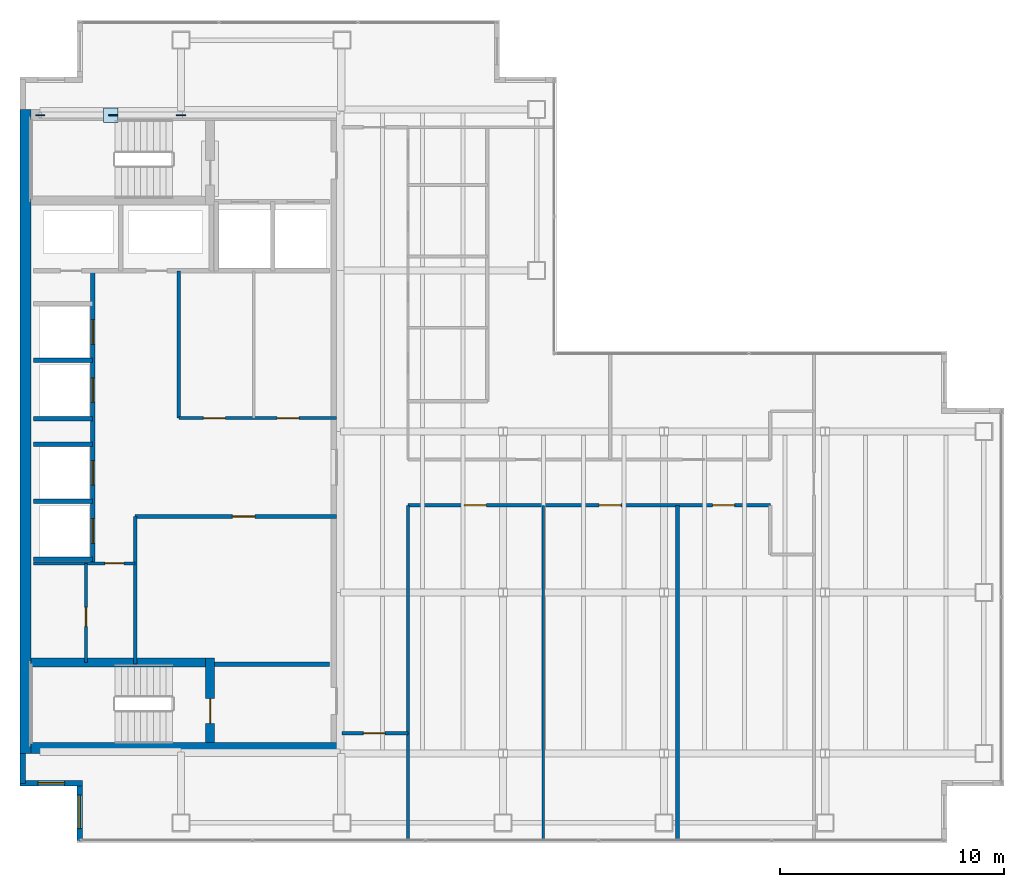
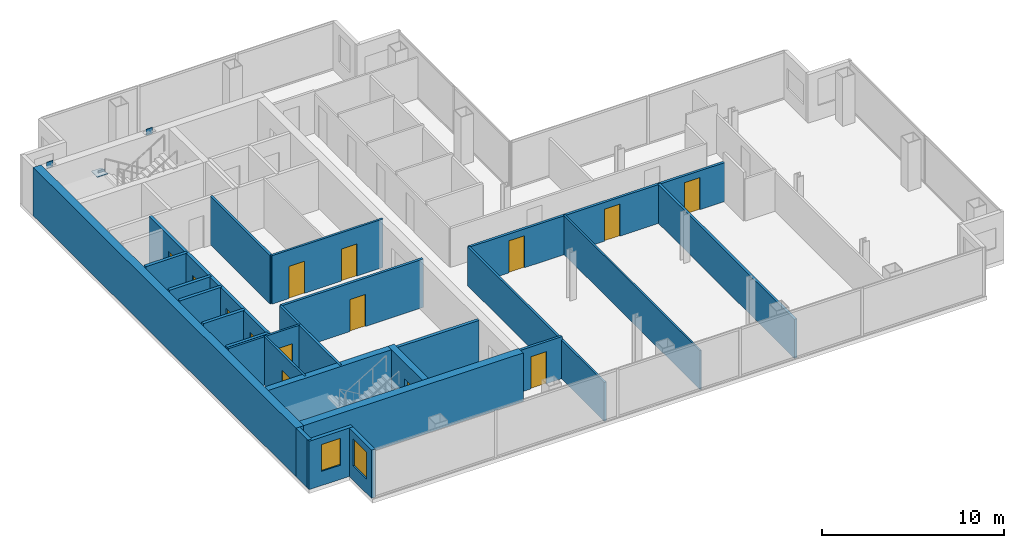
# One storey, part 20 of 23: 26 walls, 14 doors, 4 plates, 2 windows, 16 openings.
"""IFC4 building model written with IfcOpenShell, lengths in metres."""

from ifc_helpers import new_model, si_unit, direction, frame, frame_2d, origin, origin_2d, place, context, subcontext, project, spatial, rectangle, extrude, material, layer, layer_set, type_object, element, fill, save


model = new_model("IFC4")

# Units and contexts
model_context = context("Model", 3, precision=1e-05, world=origin(), true_north=direction((0.0, 1.0)))
body_context = subcontext(model_context, "Body", "Model", "MODEL_VIEW")
ifc_project = project(units=[si_unit("LENGTHUNIT", "METRE"), si_unit("AREAUNIT", "SQUARE_METRE"), si_unit("VOLUMEUNIT", "CUBIC_METRE"), si_unit("PLANEANGLEUNIT", "RADIAN"), si_unit("MASSUNIT", "GRAM", prefix="KILO")], contexts=[model_context])

# Site, building, storey
site_placement = place(None, origin())
site = spatial("IfcSite", under=ifc_project, at=site_placement, CompositionType="ELEMENT")
building_placement = place(site_placement, origin())
building = spatial("IfcBuilding", under=site, at=building_placement, Name="Cobrela Telecom Tower", CompositionType="ELEMENT")
storey_placement = place(building_placement, frame((0.0, 0.0, 190.75)))
storey = spatial("IfcBuildingStorey", under=building, at=storey_placement, Name="L48", CompositionType="ELEMENT", Elevation=190.75)

# Plates
ifc_material_1 = material(Name="Steel ASTM A572 Grade 50", Category="steel")
ifc_layer_1 = layer(ifc_material_1, 0.0419921875)
ifc_layer_set_1 = layer_set([ifc_layer_1], Name="Steel ASTM A572 Grade 50")
plate_type = type_object("IfcPlateType", Name="PLT-NODE-ND1", PredefinedType="USERDEFINED", material=ifc_layer_set_1)
for number, where, z_axis, x_axis, name in (
    (1, (7.199951171875, 35.75, 3.0751953125), (0.0, 0.0, 1.0), (1.0, 0.0, 0.0), "Steel node plate PLT-MBR-EXO-L48-N1-A-1"),
    (2, (4.173828125, 35.75, 1.349609375), (0.0, 0.0, 1.0), (-1.0, 0.0, 0.0), "Steel node plate PLT-MBR-EXO-L48-N1-B1-1"),
    (3, (0.89990234375, 35.75, 3.0751953125), (0.0, 0.0, 1.0), (-1.0, 0.0, 0.0), "Steel node plate PLT-MBR-EXO-L48-N1-B2-1"),
):
    element("IfcPlate", number, at=place(storey_placement, frame(where, z_axis=z_axis, x_axis=x_axis)), inside=storey, type_object=plate_type, Name=name, ObjectType="GUSSET PLATE", PredefinedType="USERDEFINED", context=body_context, shape_type="SweptSolid", body=[
        extrude(rectangle(XDim=0.409912109375, YDim=0.044921875, at=origin_2d()), origin(), (0.0, 0.0, 1.0), 0.409912109375),
    ])
plate_placement = place(storey_placement, frame((4.050048828125, 35.75, 1.59765625), z_axis=(0.0, 0.0, 1.0), x_axis=(1.0, 0.0, 0.0)))
element("IfcPlate", 4, at=plate_placement, inside=storey, type_object=plate_type, Name="L48 Core Flange Steel X-Brace Central X-Crossing Gusset Plate", ObjectType="GUSSET PLATE", PredefinedType="USERDEFINED", context=body_context, shape_type="SweptSolid", body=[
    extrude(rectangle(XDim=0.64990234375, YDim=0.64990234375, at=origin_2d()), origin(), (0.0, 0.0, 1.0), 0.044921875),
])

# Walls
ifc_material_2 = material(Name="Concrete C40/50", Category="concrete")
ifc_layer_2 = layer(ifc_material_2, 0.5)
ifc_layer_set_2 = layer_set([ifc_layer_2], Name="Concrete C40/50")
wall_type_1 = type_object("IfcWallType", Name="WALL-CORE-C40-500", PredefinedType="SHEAR", material=ifc_layer_set_2)
wall_1_placement = place(storey_placement, frame((0.25, 7.199951171875, 0.0), z_axis=(0.0, 0.0, 1.0), x_axis=(0.0, 1.0, 0.0)))
element("IfcWall", 5, at=wall_1_placement, inside=storey, type_object=wall_type_1, Name="L48 West Core Shear Wall", PredefinedType="SHEAR", context=body_context, shape_type="SweptSolid", body=[
    extrude(rectangle(XDim=28.800048828125, YDim=0.5, at=frame_2d((14.39990234375, 0.0))), origin(), (0.0, 0.0, 1.0), 3.239990234375),
])
wall_2_placement = place(storey_placement, frame((0.5, 7.449951171875, 0.0), z_axis=(0.0, 0.0, 1.0), x_axis=(1.0, 0.0, 0.0)))
element("IfcWall", 6, at=wall_2_placement, inside=storey, type_object=wall_type_1, Name="L48 South Core Shear Wall", PredefinedType="SHEAR", context=body_context, shape_type="SweptSolid", body=[
    extrude(rectangle(XDim=13.89990234375, YDim=0.5, at=frame_2d((6.949951171875, 0.0))), origin(), (0.0, 0.0, 1.0), 3.239990234375),
])

# Wall, opening, window
ifc_layer_3 = layer(ifc_material_2, 0.239990234375)
ifc_layer_set_3 = layer_set([ifc_layer_3], Name="Concrete C40/50")
wall_type_2 = type_object("IfcWallType", Name="WALL-EXT-300", PredefinedType="STANDARD", material=ifc_layer_set_3)
wall_3_placement = place(storey_placement, frame((2.669921875, 3.320068359375, 0.0), z_axis=(0.0, 0.0, 1.0), x_axis=(0.0, 1.0, 0.0)))
wall_3 = element("IfcWall", 7, at=wall_3_placement, inside=storey, type_object=wall_type_2, Name="L48 Insulated Facade Wall 01", PredefinedType="STANDARD", context=body_context, shape_type="SweptSolid", body=[
    extrude(rectangle(XDim=2.550048828125, YDim=0.239990234375, at=frame_2d((1.27490234375, 0.0))), origin(), (0.0, 0.0, 1.0), 3.239990234375),
])
opening_1_placement = place(wall_3_placement, frame((0.52490234375, 0.0, 0.949951171875)))
opening_1 = element("IfcOpeningElement", 8, at=opening_1_placement, cuts=wall_3, Name="Opening WN-45", PredefinedType="OPENING", context=body_context, shape_type="SweptSolid", body=[
    extrude(rectangle(XDim=1.5, YDim=1.800048828125, at=frame_2d((0.75, 0.89990234375))), frame((0.0, 0.1318359375, 0.0), z_axis=(0.0, -1.0, 0.0), x_axis=(1.0, 0.0, 0.0)), (0.0, 0.0, 1.0), 0.263916015625),
])
ifc_material_3 = material(Name="Solar-Control Bronze Low-E Glass", Category="glass")
window_type_1 = type_object("IfcWindowType", Name="WIN-MOD-1500", PartitioningType="SINGLE_PANEL", PredefinedType="WINDOW", material=ifc_material_3)
window_1_placement = place(opening_1_placement, origin())
window_1 = element("IfcWindow", 9, at=window_1_placement, inside=storey, type_object=window_type_1, Name="L48 Corner Notch Facade Window 229", OverallHeight=1.800048828125, OverallWidth=1.5, PartitioningType="SINGLE_PANEL", PredefinedType="WINDOW", context=body_context, shape_type="SweptSolid", body=[
    extrude(rectangle(XDim=1.5, YDim=1.800048828125, at=frame_2d((0.75, 0.89990234375))), frame((0.0, 0.030029296875, 0.0), z_axis=(0.0, -1.0, 0.0), x_axis=(1.0, 0.0, 0.0)), (0.0, 0.0, 1.0), 0.06005859375),
])
fill(opening_1, window_1)

wall_4_placement = place(storey_placement, frame((2.7900390625, 5.8701171875, 0.0), z_axis=(0.0, 0.0, 1.0), x_axis=(-1.0, 0.0, 0.0)))
wall_4 = element("IfcWall", 10, at=wall_4_placement, inside=storey, type_object=wall_type_2, Name="L48 Insulated Facade Wall 02", PredefinedType="STANDARD", context=body_context, shape_type="SweptSolid", body=[
    extrude(rectangle(XDim=2.7900390625, YDim=0.239990234375, at=frame_2d((1.39501953125, 0.0))), origin(), (0.0, 0.0, 1.0), 3.239990234375),
])
opening_2_placement = place(wall_4_placement, frame((0.794921875, 0.0, 0.949951171875)))
opening_2 = element("IfcOpeningElement", 11, at=opening_2_placement, cuts=wall_4, Name="Opening WN-19", PredefinedType="OPENING", context=body_context, shape_type="SweptSolid", body=[
    extrude(rectangle(XDim=1.199951171875, YDim=1.800048828125, at=frame_2d((0.60009765625, 0.89990234375))), frame((0.0, 0.1318359375, 0.0), z_axis=(0.0, -1.0, 0.0), x_axis=(1.0, 0.0, 0.0)), (0.0, 0.0, 1.0), 0.263916015625),
])
window_type_2 = type_object("IfcWindowType", Name="WIN-MOD-1200", PartitioningType="SINGLE_PANEL", PredefinedType="WINDOW", material=ifc_material_3)
window_2_placement = place(opening_2_placement, origin())
window_2 = element("IfcWindow", 12, at=window_2_placement, inside=storey, type_object=window_type_2, Name="L48 Corner Notch Facade Window 230", OverallHeight=1.800048828125, OverallWidth=1.199951171875, PartitioningType="SINGLE_PANEL", PredefinedType="WINDOW", context=body_context, shape_type="SweptSolid", body=[
    extrude(rectangle(XDim=1.199951171875, YDim=1.800048828125, at=frame_2d((0.60009765625, 0.89990234375))), frame((0.0, 0.030029296875, 0.0), z_axis=(0.0, -1.0, 0.0), x_axis=(1.0, 0.0, 0.0)), (0.0, 0.0, 1.0), 0.06005859375),
])
fill(opening_2, window_2)

# Walls
wall_5_placement = place(storey_placement, frame((0.1201171875, 5.8701171875, 0.0), z_axis=(0.0, 0.0, 1.0), x_axis=(0.0, 1.0, 0.0)))
element("IfcWall", 13, at=wall_5_placement, inside=storey, type_object=wall_type_2, Name="L48 Insulated Facade Wall 03", PredefinedType="STANDARD", context=body_context, shape_type="SweptSolid", body=[
    extrude(rectangle(XDim=1.329833984375, YDim=0.239990234375, at=frame_2d((0.6650390625, 0.0))), origin(), (0.0, 0.0, 1.0), 3.239990234375),
])
ifc_material_4 = material(Name="Fire-Rated Gypsum Plasterboard")
ifc_layer_4 = layer(ifc_material_4, 0.110107421875)
ifc_layer_set_4 = layer_set([ifc_layer_4], Name="Fire-Rated Gypsum Plasterboard")
wall_type_3 = type_object("IfcWallType", Name="WALL-PART-110", PredefinedType="PARTITIONING", material=ifc_layer_set_4)
wall_6_placement = place(storey_placement, frame((23.39990234375, 3.320068359375, 0.0), z_axis=(0.0, 0.0, 1.0), x_axis=(0.0, 1.0, 0.0)))
element("IfcWall", 14, at=wall_6_placement, inside=storey, type_object=wall_type_3, Name="L48 Interior Partition W-SV-1", PredefinedType="PARTITIONING", context=body_context, shape_type="SweptSolid", body=[
    extrude(rectangle(XDim=14.97998046875, YDim=0.110107421875, at=frame_2d((7.489990234375, 0.0))), origin(), (0.0, 0.0, 1.0), 2.60302734375),
])

# Wall, opening, door
ifc_layer_5 = layer(ifc_material_4, 0.125)
ifc_layer_set_5 = layer_set([ifc_layer_5], Name="Fire-Rated Gypsum Plasterboard")
wall_type_4 = type_object("IfcWallType", Name="WALL-PART-125", PredefinedType="PARTITIONING", material=ifc_layer_set_5)
wall_7_placement = place(storey_placement, frame((2.949951171875, 11.280029296875, 0.0), z_axis=(0.0, 0.0, 1.0), x_axis=(0.0, 1.0, 0.0)))
wall_7 = element("IfcWall", 15, at=wall_7_placement, inside=storey, type_object=wall_type_4, Name="L48 Interior Partition CW-FK1-V", PredefinedType="PARTITIONING", context=body_context, shape_type="SweptSolid", body=[
    extrude(rectangle(XDim=4.419921875, YDim=0.125, at=frame_2d((2.2099609375, 0.0))), origin(), (0.0, 0.0, 1.0), 3.239990234375),
])
opening_3_placement = place(wall_7_placement, frame((1.60009765625, 0.0, 0.0)))
opening_3 = element("IfcOpeningElement", 16, at=opening_3_placement, cuts=wall_7, Name="Opening DR-11", PredefinedType="OPENING", context=body_context, shape_type="SweptSolid", body=[
    extrude(rectangle(XDim=0.85009765625, YDim=2.14990234375, at=frame_2d((0.425048828125, 1.074951171875))), frame((0.0, 0.074462890625, 0.0), z_axis=(0.0, -1.0, 0.0), x_axis=(1.0, 0.0, 0.0)), (0.0, 0.0, 1.0), 0.14892578125),
])
ifc_material_5 = material(Name="Solid Engineered Oak Timber", Category="wood")
door_type_1 = type_object("IfcDoorType", Name="DOOR-INT-850", OperationType="SINGLE_SWING_LEFT", PredefinedType="DOOR", material=ifc_material_5)
door_1_placement = place(opening_3_placement, origin())
door_1 = element("IfcDoor", 17, at=door_1_placement, inside=storey, type_object=door_type_1, Name="L48 Door DR-11", OperationType="SINGLE_SWING_RIGHT", OverallHeight=2.14990234375, OverallWidth=0.85009765625, PredefinedType="DOOR", context=body_context, shape_type="SweptSolid", body=[
    extrude(rectangle(XDim=0.85009765625, YDim=2.14990234375, at=frame_2d((0.425048828125, 1.074951171875))), frame((0.0, 0.02490234375, 0.0), z_axis=(0.0, -1.0, 0.0), x_axis=(1.0, 0.0, 0.0)), (0.0, 0.0, 1.0), 0.050048828125),
])
fill(opening_3, door_1)

# Wall, openings, doors
ifc_layer_6 = layer(ifc_material_4, 0.135009765625)
ifc_layer_set_6 = layer_set([ifc_layer_6], Name="Fire-Rated Gypsum Plasterboard")
wall_type_5 = type_object("IfcWallType", Name="WALL-PART-135", PredefinedType="PARTITIONING", material=ifc_layer_set_6)
wall_8_placement = place(storey_placement, frame((7.10009765625, 22.199951171875, 0.0), z_axis=(0.0, 0.0, 1.0), x_axis=(1.0, 0.0, 0.0)))
wall_8 = element("IfcWall", 18, at=wall_8_placement, inside=storey, type_object=wall_type_5, Name="L48 Interior Partition CW-RECL-S", PredefinedType="PARTITIONING", context=body_context, shape_type="SweptSolid", body=[
    extrude(rectangle(XDim=7.0498046875, YDim=0.135009765625, at=frame_2d((3.52490234375, 0.0))), origin(), (0.0, 0.0, 1.0), 3.239990234375),
])
opening_4_placement = place(wall_8_placement, frame((1.10009765625, 0.0, 0.0)))
opening_4 = element("IfcOpeningElement", 19, at=opening_4_placement, cuts=wall_8, Name="Opening DR-17", PredefinedType="OPENING", context=body_context, shape_type="SweptSolid", body=[
    extrude(rectangle(XDim=0.97998046875, YDim=2.14990234375, at=frame_2d((0.489990234375, 1.074951171875))), frame((0.0, 0.07958984375, 0.0), z_axis=(0.0, -1.0, 0.0), x_axis=(1.0, 0.0, 0.0)), (0.0, 0.0, 1.0), 0.158935546875),
])
opening_5_placement = place(wall_8_placement, frame((4.39990234375, 0.0, 0.0)))
opening_5 = element("IfcOpeningElement", 20, at=opening_5_placement, cuts=wall_8, Name="Opening DR-17", PredefinedType="OPENING", context=body_context, shape_type="SweptSolid", body=[
    extrude(rectangle(XDim=0.97998046875, YDim=2.14990234375, at=frame_2d((0.489990234375, 1.074951171875))), frame((0.0, 0.07958984375, 0.0), z_axis=(0.0, -1.0, 0.0), x_axis=(1.0, 0.0, 0.0)), (0.0, 0.0, 1.0), 0.158935546875),
])
door_type_2 = type_object("IfcDoorType", Name="DOOR-INT-980", OperationType="SINGLE_SWING_LEFT", PredefinedType="DOOR", material=ifc_material_5)
door_2_placement = place(opening_4_placement, origin())
door_2 = element("IfcDoor", 21, at=door_2_placement, inside=storey, type_object=door_type_2, Name="L48 Door DR-17", OperationType="SINGLE_SWING_LEFT", OverallHeight=2.14990234375, OverallWidth=0.97998046875, PredefinedType="DOOR", context=body_context, shape_type="SweptSolid", body=[
    extrude(rectangle(XDim=0.97998046875, YDim=2.14990234375, at=frame_2d((0.489990234375, 1.074951171875))), frame((0.0, 0.02490234375, 0.0), z_axis=(0.0, -1.0, 0.0), x_axis=(1.0, 0.0, 0.0)), (0.0, 0.0, 1.0), 0.050048828125),
])
fill(opening_4, door_2)
door_3_placement = place(opening_5_placement, origin())
door_3 = element("IfcDoor", 22, at=door_3_placement, inside=storey, type_object=door_type_2, Name="L48 Door DR-17", OperationType="SINGLE_SWING_RIGHT", OverallHeight=2.14990234375, OverallWidth=0.97998046875, PredefinedType="DOOR", context=body_context, shape_type="SweptSolid", body=[
    extrude(rectangle(XDim=0.97998046875, YDim=2.14990234375, at=frame_2d((0.489990234375, 1.074951171875))), frame((0.0, 0.02490234375, 0.0), z_axis=(0.0, -1.0, 0.0), x_axis=(1.0, 0.0, 0.0)), (0.0, 0.0, 1.0), 0.050048828125),
])
fill(opening_5, door_3)

# Wall, opening, door
wall_9_placement = place(storey_placement, frame((0.60009765625, 15.699951171875, 0.0), z_axis=(0.0, 0.0, 1.0), x_axis=(1.0, 0.0, 0.0)))
wall_9 = element("IfcWall", 23, at=wall_9_placement, inside=storey, type_object=wall_type_5, Name="L48 Interior Partition CW-FLEX-N", PredefinedType="PARTITIONING", context=body_context, shape_type="SweptSolid", body=[
    extrude(rectangle(XDim=4.5498046875, YDim=0.135009765625, at=frame_2d((2.27490234375, 0.0))), origin(), (0.0, 0.0, 1.0), 3.239990234375),
])
opening_6_placement = place(wall_9_placement, frame((3.199951171875, 0.0, 0.0)))
opening_6 = element("IfcOpeningElement", 24, at=opening_6_placement, cuts=wall_9, Name="Opening DR-11", PredefinedType="OPENING", context=body_context, shape_type="SweptSolid", body=[
    extrude(rectangle(XDim=0.85009765625, YDim=2.14990234375, at=frame_2d((0.425048828125, 1.074951171875))), frame((0.0, 0.07958984375, 0.0), z_axis=(0.0, -1.0, 0.0), x_axis=(1.0, 0.0, 0.0)), (0.0, 0.0, 1.0), 0.158935546875),
])
door_4_placement = place(opening_6_placement, origin())
door_4 = element("IfcDoor", 25, at=door_4_placement, inside=storey, type_object=door_type_1, Name="L48 Door DR-11", OperationType="SINGLE_SWING_LEFT", OverallHeight=2.14990234375, OverallWidth=0.85009765625, PredefinedType="DOOR", context=body_context, shape_type="SweptSolid", body=[
    extrude(rectangle(XDim=0.85009765625, YDim=2.14990234375, at=frame_2d((0.425048828125, 1.074951171875))), frame((0.0, 0.02490234375, 0.0), z_axis=(0.0, -1.0, 0.0), x_axis=(1.0, 0.0, 0.0)), (0.0, 0.0, 1.0), 0.050048828125),
])
fill(opening_6, door_4)

# Walls
wall_10_placement = place(storey_placement, frame((17.35009765625, 8.10009765625, 0.0), z_axis=(0.0, 0.0, 1.0), x_axis=(0.0, 1.0, 0.0)))
element("IfcWall", 26, at=wall_10_placement, inside=storey, type_object=wall_type_5, Name="L48 Interior Partition W-C-E1", PredefinedType="PARTITIONING", context=body_context, shape_type="SweptSolid", body=[
    extrude(rectangle(XDim=10.199951171875, YDim=0.135009765625, at=frame_2d((5.10009765625, 0.0))), origin(), (0.0, 0.0, 1.0), 2.60302734375),
])
wall_11_placement = place(storey_placement, frame((17.35009765625, 3.320068359375, 0.0), z_axis=(0.0, 0.0, 1.0), x_axis=(0.0, 1.0, 0.0)))
element("IfcWall", 27, at=wall_11_placement, inside=storey, type_object=wall_type_5, Name="L48 Interior Partition W-SW-E", PredefinedType="PARTITIONING", context=body_context, shape_type="SweptSolid", body=[
    extrude(rectangle(XDim=4.780029296875, YDim=0.135009765625, at=frame_2d((2.39013671875, 0.0))), origin(), (0.0, 0.0, 1.0), 2.60302734375),
])
ifc_layer_7 = layer(ifc_material_4, 0.14990234375)
ifc_layer_set_7 = layer_set([ifc_layer_7], Name="Fire-Rated Gypsum Plasterboard")
wall_type_6 = type_object("IfcWallType", Name="WALL-PART-150", PredefinedType="PARTITIONING", material=ifc_layer_set_7)
wall_12_placement = place(storey_placement, frame((7.10009765625, 22.199951171875, 0.0), z_axis=(0.0, 0.0, 1.0), x_axis=(0.0, 1.0, 0.0)))
element("IfcWall", 28, at=wall_12_placement, inside=storey, type_object=wall_type_6, Name="L48 Interior Partition CW-RECL-W", PredefinedType="PARTITIONING", context=body_context, shape_type="SweptSolid", body=[
    extrude(rectangle(XDim=6.580078125, YDim=0.14990234375, at=frame_2d((3.2900390625, 0.0))), origin(), (0.0, 0.0, 1.0), 3.239990234375),
])
wall_13_placement = place(storey_placement, frame((5.14990234375, 11.199951171875, 0.0), z_axis=(0.0, 0.0, 1.0), x_axis=(0.0, 1.0, 0.0)))
element("IfcWall", 29, at=wall_13_placement, inside=storey, type_object=wall_type_6, Name="L48 Interior Partition CW-RECM-W", PredefinedType="PARTITIONING", context=body_context, shape_type="SweptSolid", body=[
    extrude(rectangle(XDim=6.60009765625, YDim=0.14990234375, at=frame_2d((3.300048828125, 0.0))), origin(), (0.0, 0.0, 1.0), 3.239990234375),
])

# Wall, opening, door
ifc_layer_8 = layer(ifc_material_4, 0.159912109375)
ifc_layer_set_8 = layer_set([ifc_layer_8], Name="Fire-Rated Gypsum Plasterboard")
wall_type_7 = type_object("IfcWallType", Name="WALL-PART-160", PredefinedType="PARTITIONING", material=ifc_layer_set_8)
wall_14_placement = place(storey_placement, frame((5.14990234375, 17.800048828125, 0.0), z_axis=(0.0, 0.0, 1.0), x_axis=(1.0, 0.0, 0.0)))
wall_14 = element("IfcWall", 30, at=wall_14_placement, inside=storey, type_object=wall_type_7, Name="L48 Interior Partition CW-RECM-N", PredefinedType="PARTITIONING", context=body_context, shape_type="SweptSolid", body=[
    extrude(rectangle(XDim=9.0, YDim=0.159912109375, at=frame_2d((4.5, 0.0))), origin(), (0.0, 0.0, 1.0), 3.239990234375),
])
opening_7_placement = place(wall_14_placement, frame((4.35009765625, 0.0, 0.0)))
opening_7 = element("IfcOpeningElement", 31, at=opening_7_placement, cuts=wall_14, Name="Opening DR-31", PredefinedType="OPENING", context=body_context, shape_type="SweptSolid", body=[
    extrude(rectangle(XDim=1.0, YDim=2.14990234375, at=frame_2d((0.5, 1.074951171875))), frame((0.0, 0.091796875, 0.0), z_axis=(0.0, -1.0, 0.0), x_axis=(1.0, 0.0, 0.0)), (0.0, 0.0, 1.0), 0.183837890625),
])
door_type_3 = type_object("IfcDoorType", Name="DOOR-INT-1000", OperationType="SINGLE_SWING_LEFT", PredefinedType="DOOR", material=ifc_material_5)
door_5_placement = place(opening_7_placement, origin())
door_5 = element("IfcDoor", 32, at=door_5_placement, inside=storey, type_object=door_type_3, Name="L48 Door DR-31", OperationType="SINGLE_SWING_LEFT", OverallHeight=2.14990234375, OverallWidth=1.0, PredefinedType="DOOR", context=body_context, shape_type="SweptSolid", body=[
    extrude(rectangle(XDim=1.0, YDim=2.14990234375, at=frame_2d((0.5, 1.074951171875))), frame((0.0, 0.02490234375, 0.0), z_axis=(0.0, -1.0, 0.0), x_axis=(1.0, 0.0, 0.0)), (0.0, 0.0, 1.0), 0.050048828125),
])
fill(opening_7, door_5)

wall_15_placement = place(storey_placement, frame((14.39990234375, 8.10009765625, 0.0), z_axis=(0.0, 0.0, 1.0), x_axis=(1.0, 0.0, 0.0)))
wall_15 = element("IfcWall", 33, at=wall_15_placement, inside=storey, type_object=wall_type_7, Name="L48 Interior Partition W-C-S0", PredefinedType="PARTITIONING", context=body_context, shape_type="SweptSolid", body=[
    extrude(rectangle(XDim=2.9501953125, YDim=0.159912109375, at=frame_2d((1.47509765625, 0.0))), origin(), (0.0, 0.0, 1.0), 2.80810546875),
])
opening_8_placement = place(wall_15_placement, frame((0.949951171875, 0.0, 0.0)))
opening_8 = element("IfcOpeningElement", 34, at=opening_8_placement, cuts=wall_15, Name="Opening DR-17", PredefinedType="OPENING", context=body_context, shape_type="SweptSolid", body=[
    extrude(rectangle(XDim=0.97998046875, YDim=2.14990234375, at=frame_2d((0.489990234375, 1.074951171875))), frame((0.0, 0.091796875, 0.0), z_axis=(0.0, -1.0, 0.0), x_axis=(1.0, 0.0, 0.0)), (0.0, 0.0, 1.0), 0.183837890625),
])
door_6_placement = place(opening_8_placement, origin())
door_6 = element("IfcDoor", 35, at=door_6_placement, inside=storey, type_object=door_type_2, Name="L48 Door DR-17", OperationType="SINGLE_SWING_RIGHT", OverallHeight=2.14990234375, OverallWidth=0.97998046875, PredefinedType="DOOR", context=body_context, shape_type="SweptSolid", body=[
    extrude(rectangle(XDim=0.97998046875, YDim=2.14990234375, at=frame_2d((0.489990234375, 1.074951171875))), frame((0.0, 0.02490234375, 0.0), z_axis=(0.0, -1.0, 0.0), x_axis=(1.0, 0.0, 0.0)), (0.0, 0.0, 1.0), 0.050048828125),
])
fill(opening_8, door_6)

# Wall, openings, doors
wall_16_placement = place(storey_placement, frame((17.35009765625, 18.300048828125, 0.0), z_axis=(0.0, 0.0, 1.0), x_axis=(1.0, 0.0, 0.0)))
wall_16 = element("IfcWall", 36, at=wall_16_placement, inside=storey, type_object=wall_type_7, Name="L48 Interior Partition W-C-HS", PredefinedType="PARTITIONING", context=body_context, shape_type="SweptSolid", body=[
    extrude(rectangle(XDim=16.199951171875, YDim=0.159912109375, at=frame_2d((8.10009765625, 0.0))), origin(), (0.0, 0.0, 1.0), 2.60302734375),
])
opening_9_placement = place(wall_16_placement, frame((2.52001953125, 0.0, 0.0)))
opening_9 = element("IfcOpeningElement", 37, at=opening_9_placement, cuts=wall_16, Name="Opening DR-17", PredefinedType="OPENING", context=body_context, shape_type="SweptSolid", body=[
    extrude(rectangle(XDim=0.97998046875, YDim=2.14990234375, at=frame_2d((0.489990234375, 1.074951171875))), frame((0.0, 0.091796875, 0.0), z_axis=(0.0, -1.0, 0.0), x_axis=(1.0, 0.0, 0.0)), (0.0, 0.0, 1.0), 0.183837890625),
])
opening_10_placement = place(wall_16_placement, frame((8.550048828125, 0.0, 0.0)))
opening_10 = element("IfcOpeningElement", 38, at=opening_10_placement, cuts=wall_16, Name="Opening DR-17", PredefinedType="OPENING", context=body_context, shape_type="SweptSolid", body=[
    extrude(rectangle(XDim=0.97998046875, YDim=2.14990234375, at=frame_2d((0.489990234375, 1.074951171875))), frame((0.0, 0.091796875, 0.0), z_axis=(0.0, -1.0, 0.0), x_axis=(1.0, 0.0, 0.0)), (0.0, 0.0, 1.0), 0.183837890625),
])
opening_11_placement = place(wall_16_placement, frame((13.6201171875, 0.0, 0.0)))
opening_11 = element("IfcOpeningElement", 39, at=opening_11_placement, cuts=wall_16, Name="Opening DR-17", PredefinedType="OPENING", context=body_context, shape_type="SweptSolid", body=[
    extrude(rectangle(XDim=0.97998046875, YDim=2.14990234375, at=frame_2d((0.489990234375, 1.074951171875))), frame((0.0, 0.091796875, 0.0), z_axis=(0.0, -1.0, 0.0), x_axis=(1.0, 0.0, 0.0)), (0.0, 0.0, 1.0), 0.183837890625),
])
door_7_placement = place(opening_9_placement, origin())
door_7 = element("IfcDoor", 40, at=door_7_placement, inside=storey, type_object=door_type_2, Name="L48 Door DR-17", OperationType="SINGLE_SWING_LEFT", OverallHeight=2.14990234375, OverallWidth=0.97998046875, PredefinedType="DOOR", context=body_context, shape_type="SweptSolid", body=[
    extrude(rectangle(XDim=0.97998046875, YDim=2.14990234375, at=frame_2d((0.489990234375, 1.074951171875))), frame((0.0, 0.02490234375, 0.0), z_axis=(0.0, -1.0, 0.0), x_axis=(1.0, 0.0, 0.0)), (0.0, 0.0, 1.0), 0.050048828125),
])
fill(opening_9, door_7)
door_8_placement = place(opening_10_placement, origin())
door_8 = element("IfcDoor", 41, at=door_8_placement, inside=storey, type_object=door_type_2, Name="L48 Door DR-17", OperationType="SINGLE_SWING_RIGHT", OverallHeight=2.14990234375, OverallWidth=0.97998046875, PredefinedType="DOOR", context=body_context, shape_type="SweptSolid", body=[
    extrude(rectangle(XDim=0.97998046875, YDim=2.14990234375, at=frame_2d((0.489990234375, 1.074951171875))), frame((0.0, 0.02490234375, 0.0), z_axis=(0.0, -1.0, 0.0), x_axis=(1.0, 0.0, 0.0)), (0.0, 0.0, 1.0), 0.050048828125),
])
fill(opening_10, door_8)
door_9_placement = place(opening_11_placement, origin())
door_9 = element("IfcDoor", 42, at=door_9_placement, inside=storey, type_object=door_type_2, Name="L48 Door DR-17", OperationType="SINGLE_SWING_LEFT", OverallHeight=2.14990234375, OverallWidth=0.97998046875, PredefinedType="DOOR", context=body_context, shape_type="SweptSolid", body=[
    extrude(rectangle(XDim=0.97998046875, YDim=2.14990234375, at=frame_2d((0.489990234375, 1.074951171875))), frame((0.0, 0.02490234375, 0.0), z_axis=(0.0, -1.0, 0.0), x_axis=(1.0, 0.0, 0.0)), (0.0, 0.0, 1.0), 0.050048828125),
])
fill(opening_11, door_9)

# Walls
wall_17_placement = place(storey_placement, frame((29.39990234375, 3.320068359375, 0.0), z_axis=(0.0, 0.0, 1.0), x_axis=(0.0, 1.0, 0.0)))
element("IfcWall", 43, at=wall_17_placement, inside=storey, type_object=wall_type_7, Name="L48 Interior Partition W-SV-2", PredefinedType="PARTITIONING", context=body_context, shape_type="SweptSolid", body=[
    extrude(rectangle(XDim=14.97998046875, YDim=0.159912109375, at=frame_2d((7.489990234375, 0.0))), origin(), (0.0, 0.0, 1.0), 2.60302734375),
])
ifc_layer_9 = layer(ifc_material_4, 0.199951171875)
ifc_layer_set_9 = layer_set([ifc_layer_9], Name="Fire-Rated Gypsum Plasterboard")
wall_type_8 = type_object("IfcWallType", Name="WALL-SHAFT-200", PredefinedType="PARTITIONING", material=ifc_layer_set_9)
wall_18_placement = place(storey_placement, frame((8.699951171875, 11.199951171875, 0.0), z_axis=(0.0, 0.0, 1.0), x_axis=(1.0, 0.0, 0.0)))
element("IfcWall", 44, at=wall_18_placement, inside=storey, type_object=wall_type_8, Name="L48 Shaft Enclosure CW-ST2L-N", PredefinedType="PARTITIONING", context=body_context, shape_type="SweptSolid", body=[
    extrude(rectangle(XDim=5.150146484375, YDim=0.199951171875, at=frame_2d((2.5751953125, 0.0))), origin(), (0.0, 0.0, 1.0), 3.239990234375),
])

# Wall, openings, doors
wall_19_placement = place(storey_placement, frame((3.25, 15.699951171875, 0.0), z_axis=(0.0, 0.0, 1.0), x_axis=(0.0, 1.0, 0.0)))
wall_19 = element("IfcWall", 45, at=wall_19_placement, inside=storey, type_object=wall_type_8, Name="L48 Shaft Enclosure CW-PLH-E", PredefinedType="PARTITIONING", context=body_context, shape_type="SweptSolid", body=[
    extrude(rectangle(XDim=13.080078125, YDim=0.199951171875, at=frame_2d((6.5400390625, 0.0))), origin(), (0.0, 0.0, 1.0), 3.239990234375),
])
opening_12_placement = place(wall_19_placement, frame((0.89990234375, 0.0, 0.0)))
opening_12 = element("IfcOpeningElement", 46, at=opening_12_placement, cuts=wall_19, Name="Opening LD-1", PredefinedType="OPENING", context=body_context, shape_type="SweptSolid", body=[
    extrude(rectangle(XDim=1.10009765625, YDim=2.199951171875, at=frame_2d((0.550048828125, 1.10009765625))), frame((0.0, 0.11181640625, 0.0), z_axis=(0.0, -1.0, 0.0), x_axis=(1.0, 0.0, 0.0)), (0.0, 0.0, 1.0), 0.223876953125),
])
opening_13_placement = place(wall_19_placement, frame((3.5, 0.0, 0.0)))
opening_13 = element("IfcOpeningElement", 47, at=opening_13_placement, cuts=wall_19, Name="Opening LD-1", PredefinedType="OPENING", context=body_context, shape_type="SweptSolid", body=[
    extrude(rectangle(XDim=1.10009765625, YDim=2.199951171875, at=frame_2d((0.550048828125, 1.10009765625))), frame((0.0, 0.11181640625, 0.0), z_axis=(0.0, -1.0, 0.0), x_axis=(1.0, 0.0, 0.0)), (0.0, 0.0, 1.0), 0.223876953125),
])
opening_14_placement = place(wall_19_placement, frame((7.199951171875, 0.0, 0.0)))
opening_14 = element("IfcOpeningElement", 48, at=opening_14_placement, cuts=wall_19, Name="Opening LD-1", PredefinedType="OPENING", context=body_context, shape_type="SweptSolid", body=[
    extrude(rectangle(XDim=1.10009765625, YDim=2.199951171875, at=frame_2d((0.550048828125, 1.10009765625))), frame((0.0, 0.11181640625, 0.0), z_axis=(0.0, -1.0, 0.0), x_axis=(1.0, 0.0, 0.0)), (0.0, 0.0, 1.0), 0.223876953125),
])
opening_15_placement = place(wall_19_placement, frame((9.800048828125, 0.0, 0.0)))
opening_15 = element("IfcOpeningElement", 49, at=opening_15_placement, cuts=wall_19, Name="Opening LD-1", PredefinedType="OPENING", context=body_context, shape_type="SweptSolid", body=[
    extrude(rectangle(XDim=1.10009765625, YDim=2.199951171875, at=frame_2d((0.550048828125, 1.10009765625))), frame((0.0, 0.11181640625, 0.0), z_axis=(0.0, -1.0, 0.0), x_axis=(1.0, 0.0, 0.0)), (0.0, 0.0, 1.0), 0.223876953125),
])
ifc_material_6 = material(Name="Steel ASTM A36", Category="steel")
door_type_4 = type_object("IfcDoorType", Name="DOOR-LD-PL", OperationType="SINGLE_SWING_LEFT", PredefinedType="DOOR", material=ifc_material_6)
door_10_placement = place(opening_12_placement, origin())
door_10 = element("IfcDoor", 50, at=door_10_placement, inside=storey, type_object=door_type_4, Name="L48 Lift Landing Door LD-1", OperationType="DOUBLE_DOOR_SLIDING", OverallHeight=2.199951171875, OverallWidth=1.10009765625, PredefinedType="DOOR", context=body_context, shape_type="SweptSolid", body=[
    extrude(rectangle(XDim=1.10009765625, YDim=2.199951171875, at=frame_2d((0.550048828125, 1.10009765625))), frame((0.0, 0.02490234375, 0.0), z_axis=(0.0, -1.0, 0.0), x_axis=(1.0, 0.0, 0.0)), (0.0, 0.0, 1.0), 0.050048828125),
])
fill(opening_12, door_10)
door_11_placement = place(opening_13_placement, origin())
door_11 = element("IfcDoor", 51, at=door_11_placement, inside=storey, type_object=door_type_4, Name="L48 Lift Landing Door LD-1", OperationType="DOUBLE_DOOR_SLIDING", OverallHeight=2.199951171875, OverallWidth=1.10009765625, PredefinedType="DOOR", context=body_context, shape_type="SweptSolid", body=[
    extrude(rectangle(XDim=1.10009765625, YDim=2.199951171875, at=frame_2d((0.550048828125, 1.10009765625))), frame((0.0, 0.02490234375, 0.0), z_axis=(0.0, -1.0, 0.0), x_axis=(1.0, 0.0, 0.0)), (0.0, 0.0, 1.0), 0.050048828125),
])
fill(opening_13, door_11)
door_12_placement = place(opening_14_placement, origin())
door_12 = element("IfcDoor", 52, at=door_12_placement, inside=storey, type_object=door_type_4, Name="L48 Lift Landing Door LD-1", OperationType="DOUBLE_DOOR_SLIDING", OverallHeight=2.199951171875, OverallWidth=1.10009765625, PredefinedType="DOOR", context=body_context, shape_type="SweptSolid", body=[
    extrude(rectangle(XDim=1.10009765625, YDim=2.199951171875, at=frame_2d((0.550048828125, 1.10009765625))), frame((0.0, 0.02490234375, 0.0), z_axis=(0.0, -1.0, 0.0), x_axis=(1.0, 0.0, 0.0)), (0.0, 0.0, 1.0), 0.050048828125),
])
fill(opening_14, door_12)
door_13_placement = place(opening_15_placement, origin())
door_13 = element("IfcDoor", 53, at=door_13_placement, inside=storey, type_object=door_type_4, Name="L48 Lift Landing Door LD-1", OperationType="DOUBLE_DOOR_SLIDING", OverallHeight=2.199951171875, OverallWidth=1.10009765625, PredefinedType="DOOR", context=body_context, shape_type="SweptSolid", body=[
    extrude(rectangle(XDim=1.10009765625, YDim=2.199951171875, at=frame_2d((0.550048828125, 1.10009765625))), frame((0.0, 0.02490234375, 0.0), z_axis=(0.0, -1.0, 0.0), x_axis=(1.0, 0.0, 0.0)), (0.0, 0.0, 1.0), 0.050048828125),
])
fill(opening_15, door_13)

# Walls
for number, where, z_axis, x_axis, name in (
    (54, (0.60009765625, 15.8798828125, 0.0), (0.0, 0.0, 1.0), (1.0, 0.0, 0.0), "L48 Shaft Enclosure CW-PLH-D9"),
    (55, (0.60009765625, 18.47998046875, 0.0), (0.0, 0.0, 1.0), (1.0, 0.0, 0.0), "L48 Shaft Enclosure CW-PLH-D10"),
    (56, (0.60009765625, 22.179931640625, 0.0), (0.0, 0.0, 1.0), (1.0, 0.0, 0.0), "L48 Shaft Enclosure CW-PLH-D11"),
    (57, (0.60009765625, 24.780029296875, 0.0), (0.0, 0.0, 1.0), (1.0, 0.0, 0.0), "L48 Shaft Enclosure CW-PLH-D12"),
    (58, (0.60009765625, 21.02001953125, 0.0), (0.0, 0.0, 1.0), (1.0, 0.0, 0.0), "L48 Shaft Enclosure CW-PLH-MID"),
):
    element("IfcWall", number, at=place(storey_placement, frame(where, z_axis=z_axis, x_axis=x_axis)), inside=storey, type_object=wall_type_8, Name=name, PredefinedType="PARTITIONING", context=body_context, shape_type="SweptSolid", body=[
        extrude(rectangle(XDim=2.64990234375, YDim=0.199951171875, at=frame_2d((1.324951171875, 0.0))), origin(), (0.0, 0.0, 1.0), 3.239990234375),
    ])
ifc_layer_10 = layer(ifc_material_2, 0.39990234375)
ifc_layer_set_10 = layer_set([ifc_layer_10], Name="Concrete C40/50")
wall_type_9 = type_object("IfcWallType", Name="WALL-SHAFT-C40-400", PredefinedType="SHEAR", material=ifc_layer_set_10)
wall_20_placement = place(storey_placement, frame((0.5, 11.280029296875, 0.0), z_axis=(0.0, 0.0, 1.0), x_axis=(1.0, 0.0, 0.0)))
element("IfcWall", 59, at=wall_20_placement, inside=storey, type_object=wall_type_9, Name="L48 South Stair Shear Wall", PredefinedType="SHEAR", context=body_context, shape_type="SweptSolid", body=[
    extrude(rectangle(XDim=7.800048828125, YDim=0.39990234375, at=frame_2d((3.89990234375, 0.0))), origin(), (0.0, 0.0, 1.0), 3.239990234375),
])

# Wall, opening, door
wall_21_placement = place(storey_placement, frame((8.5, 7.699951171875, 0.0), z_axis=(0.0, 0.0, 1.0), x_axis=(0.0, 1.0, 0.0)))
wall_21 = element("IfcWall", 60, at=wall_21_placement, inside=storey, type_object=wall_type_9, Name="L48 South Stair Lobby Shear Wall", PredefinedType="SHEAR", context=body_context, shape_type="SweptSolid", body=[
    extrude(rectangle(XDim=3.780029296875, YDim=0.39990234375, at=frame_2d((1.89013671875, 0.0))), origin(), (0.0, 0.0, 1.0), 3.239990234375),
])
opening_16_placement = place(wall_21_placement, frame((0.85009765625, 0.0, 0.0)))
opening_16 = element("IfcOpeningElement", 61, at=opening_16_placement, cuts=wall_21, Name="Opening FD-90", PredefinedType="OPENING", context=body_context, shape_type="SweptSolid", body=[
    extrude(rectangle(XDim=1.10009765625, YDim=2.14990234375, at=frame_2d((0.550048828125, 1.074951171875))), frame((0.0, 0.2119140625, 0.0), z_axis=(0.0, -1.0, 0.0), x_axis=(1.0, 0.0, 0.0)), (0.0, 0.0, 1.0), 0.423828125),
])
door_type_5 = type_object("IfcDoorType", Name="DOOR-FD90-1100", OperationType="SINGLE_SWING_LEFT", PredefinedType="DOOR", material=ifc_material_6)
door_14_placement = place(opening_16_placement, origin())
door_14 = element("IfcDoor", 62, at=door_14_placement, inside=storey, type_object=door_type_5, Name="L48 Door FD-90", OperationType="SINGLE_SWING_LEFT", OverallHeight=2.14990234375, OverallWidth=1.10009765625, PredefinedType="DOOR", context=body_context, shape_type="SweptSolid", body=[
    extrude(rectangle(XDim=1.10009765625, YDim=2.14990234375, at=frame_2d((0.550048828125, 1.074951171875))), frame((0.0, 0.02490234375, 0.0), z_axis=(0.0, -1.0, 0.0), x_axis=(1.0, 0.0, 0.0)), (0.0, 0.0, 1.0), 0.050048828125),
])
fill(opening_16, door_14)

save(model, "model.ifc")
